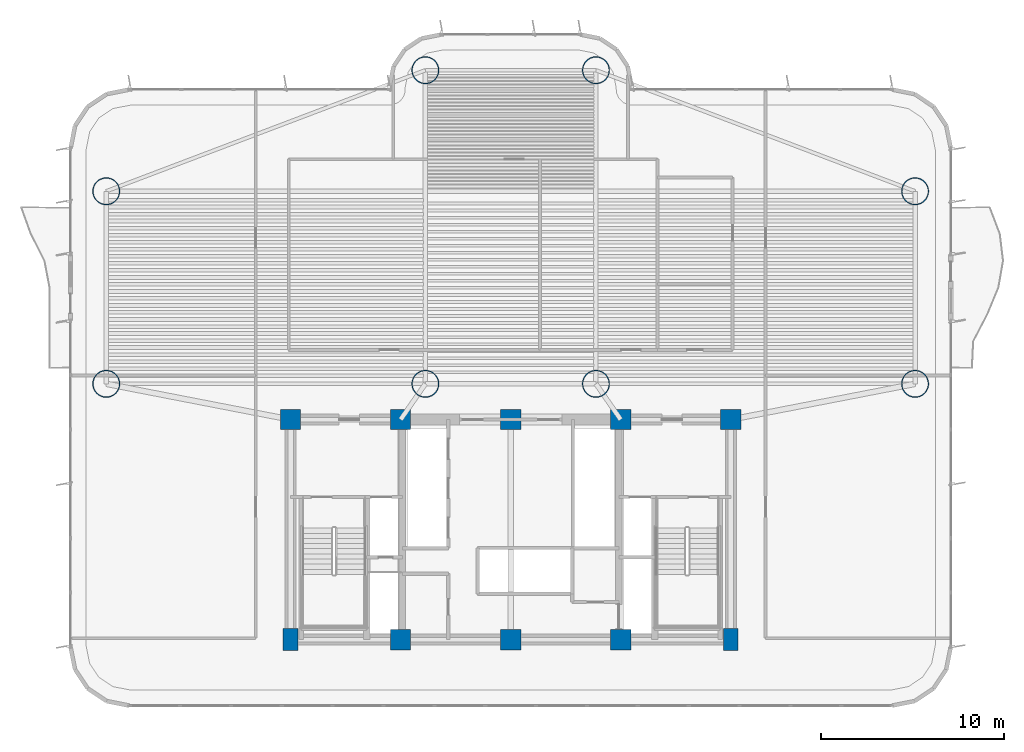
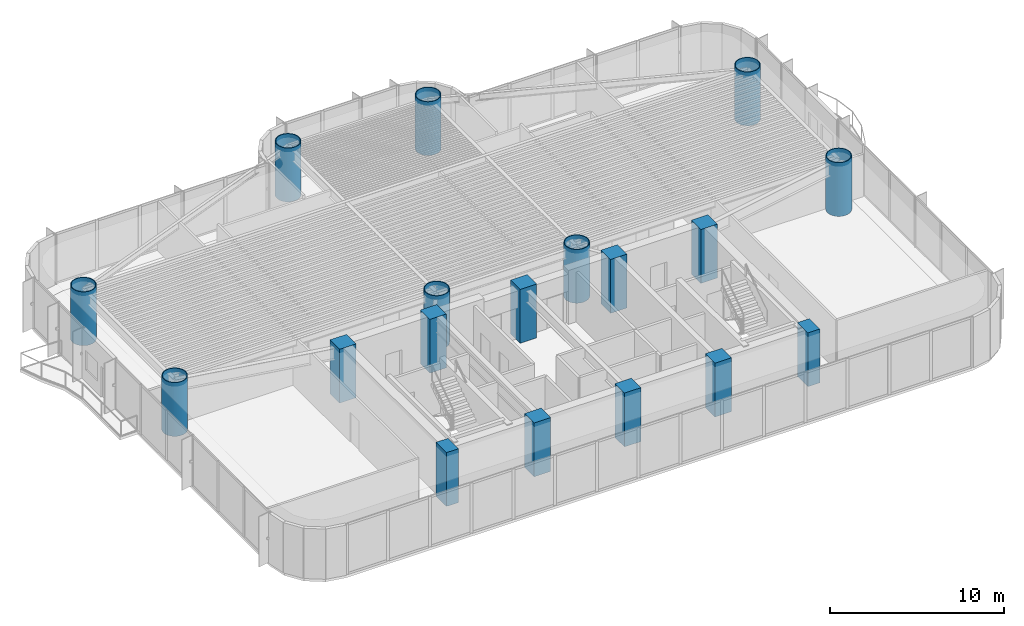
# One storey, part 1 of 16: 18 columns.
"""IFC4 building model written with IfcOpenShell, lengths in metres."""

from ifc_helpers import new_model, si_unit, direction, frame, origin, origin_2d, place, context, subcontext, project, spatial, rectangle, hollow_circle, extrude, source, transform, mapped, material, material_profile, profile_set, type_object, element, save


model = new_model("IFC4")

# Units and contexts
model_context = context("Model", 3, precision=1e-05, world=origin(), true_north=direction((0.0, 1.0)))
body_context = subcontext(model_context, "Body", "Model", "MODEL_VIEW")
ifc_project = project(units=[si_unit("LENGTHUNIT", "METRE"), si_unit("AREAUNIT", "SQUARE_METRE"), si_unit("VOLUMEUNIT", "CUBIC_METRE"), si_unit("PLANEANGLEUNIT", "RADIAN"), si_unit("MASSUNIT", "GRAM", prefix="KILO")], contexts=[model_context])

# Site, building, storey
site_placement = place(None, origin())
site = spatial("IfcSite", under=ifc_project, at=site_placement, CompositionType="ELEMENT")
building_placement = place(site_placement, origin())
building = spatial("IfcBuilding", under=site, at=building_placement, Name="Brelvock Crest Care Tower", CompositionType="ELEMENT")
storey_placement = place(building_placement, frame((0.0, 0.0, 57.239990234375)))
storey = spatial("IfcBuildingStorey", under=building, at=storey_placement, Name="L14", CompositionType="ELEMENT", Elevation=57.239990234375)

# Columns
ifc_material_1 = material(Name="Concrete S80 (80 MPa)", Category="concrete")
ifc_material_profile_1 = material_profile(ifc_material_1, rectangle(XDim=0.800048828125, YDim=1.199951171875, at=origin_2d()), Name="RC800x1200")
ifc_profile_set_1 = profile_set([ifc_material_profile_1], Name="Concrete S80 (80 MPa)")
column_type_1 = type_object("IfcColumnType", Name="COL-RC5", PredefinedType="COLUMN", material=ifc_profile_set_1)
shared_shape_1 = source(origin(), body_context, "Body", "SweptSolid", [
    extrude(rectangle(XDim=0.800048828125, YDim=1.199951171875, at=origin_2d()), origin(), (0.0, 0.0, 1.0), 3.780029296875),
])
for number, where, z_axis, x_axis, name in (
    (1, (24.0, 6.0, 0.0), (0.0, 0.0, 1.0), (1.0, 0.0, 0.0), "L14 Core Column CC-01"),
    (2, (48.0, 6.0, 0.0), (0.0, 0.0, 1.0), (1.0, 0.0, 0.0), "L14 Core Column CC-05"),
):
    element("IfcColumn", number, at=place(storey_placement, frame(where, z_axis=z_axis, x_axis=x_axis)), inside=storey, type_object=column_type_1, Name=name, PredefinedType="COLUMN", context=body_context, shape_type="MappedRepresentation", body=[
        mapped(shared_shape_1, transform((0.0, 0.0, 0.0), x_axis=(1.0, 0.0, 0.0), y_axis=(0.0, 1.0, 0.0), z_axis=(0.0, 0.0, 1.0), scale=1.0)),
    ])
ifc_material_profile_2 = material_profile(ifc_material_1, rectangle(XDim=1.10009765625, YDim=1.10009765625, at=origin_2d()), Name="RC1100x1100")
ifc_profile_set_2 = profile_set([ifc_material_profile_2], Name="Concrete S80 (80 MPa)")
column_type_2 = type_object("IfcColumnType", Name="COL-RC1", PredefinedType="COLUMN", material=ifc_profile_set_2)
shared_shape_2 = source(origin(), body_context, "Body", "SweptSolid", [
    extrude(rectangle(XDim=1.10009765625, YDim=1.10009765625, at=origin_2d()), origin(), (0.0, 0.0, 1.0), 3.780029296875),
])
for number, where, z_axis, x_axis, name in (
    (3, (30.0, 6.0, 0.0), (0.0, 0.0, 1.0), (1.0, 0.0, 0.0), "L14 Core Column CC-02"),
    (4, (36.0, 6.0, 0.0), (0.0, 0.0, 1.0), (1.0, 0.0, 0.0), "L14 Core Column CC-03"),
    (5, (42.0, 6.0, 0.0), (0.0, 0.0, 1.0), (1.0, 0.0, 0.0), "L14 Core Column CC-04"),
    (6, (24.0, 18.0, 0.0), (0.0, 0.0, 1.0), (1.0, 0.0, 0.0), "L14 Core Column CC-06"),
    (7, (30.0, 18.0, 0.0), (0.0, 0.0, 1.0), (1.0, 0.0, 0.0), "L14 Core Column CC-07"),
    (8, (36.0, 18.0, 0.0), (0.0, 0.0, 1.0), (1.0, 0.0, 0.0), "L14 Core Column CC-08"),
    (9, (42.0, 18.0, 0.0), (0.0, 0.0, 1.0), (1.0, 0.0, 0.0), "L14 Core Column CC-09"),
    (10, (48.0, 18.0, 0.0), (0.0, 0.0, 1.0), (1.0, 0.0, 0.0), "L14 Core Column CC-10"),
):
    element("IfcColumn", number, at=place(storey_placement, frame(where, z_axis=z_axis, x_axis=x_axis)), inside=storey, type_object=column_type_2, Name=name, PredefinedType="COLUMN", context=body_context, shape_type="MappedRepresentation", body=[
        mapped(shared_shape_2, transform((0.0, 0.0, 0.0), x_axis=(1.0, 0.0, 0.0), y_axis=(0.0, 1.0, 0.0), z_axis=(0.0, 0.0, 1.0), scale=1.0)),
    ])
ifc_material_2 = material(Name="Steel Grade 350", Category="steel")
ifc_material_profile_3 = material_profile(ifc_material_2, hollow_circle(Radius=0.75, WallThickness=0.050048828125, at=origin_2d()), Name="CFT1500x50")
ifc_profile_set_3 = profile_set([ifc_material_profile_3], Name="Steel Grade 350")
column_type_3 = type_object("IfcColumnType", Name="COL-MC1", PredefinedType="COLUMN", material=ifc_profile_set_3)
shared_shape_3 = source(origin(), body_context, "Body", "SweptSolid", [
    extrude(hollow_circle(Radius=0.75, WallThickness=0.050048828125, at=origin_2d()), origin(), (0.0, 0.0, 1.0), 3.780029296875),
])
for number, where, z_axis, x_axis, name in (
    (11, (13.949951171875, 19.949951171875, 0.0), (0.0, 0.0, 1.0), (1.0, 0.0, 0.0), "L14 Tower Column M1"),
    (12, (13.949951171875, 30.449951171875, 0.0), (0.0, 0.0, 1.0), (1.0, 0.0, 0.0), "L14 Tower Column M2"),
    (13, (58.050048828125, 19.949951171875, 0.0), (0.0, 0.0, 1.0), (1.0, 0.0, 0.0), "L14 Tower Column M3"),
    (14, (58.050048828125, 30.449951171875, 0.0), (0.0, 0.0, 1.0), (1.0, 0.0, 0.0), "L14 Tower Column M4"),
    (15, (31.35009765625, 19.949951171875, 0.0), (0.0, 0.0, 1.0), (1.0, 0.0, 0.0), "L14 Tower Column M5"),
    (16, (40.64990234375, 19.949951171875, 0.0), (0.0, 0.0, 1.0), (1.0, 0.0, 0.0), "L14 Tower Column M6"),
    (17, (31.35009765625, 37.050048828125, 0.0), (0.0, 0.0, 1.0), (1.0, 0.0, 0.0), "L14 Tower Column M7"),
    (18, (40.64990234375, 37.050048828125, 0.0), (0.0, 0.0, 1.0), (1.0, 0.0, 0.0), "L14 Tower Column M8"),
):
    element("IfcColumn", number, at=place(storey_placement, frame(where, z_axis=z_axis, x_axis=x_axis)), inside=storey, type_object=column_type_3, Name=name, PredefinedType="COLUMN", context=body_context, shape_type="MappedRepresentation", body=[
        mapped(shared_shape_3, transform((0.0, 0.0, 0.0), x_axis=(1.0, 0.0, 0.0), y_axis=(0.0, 1.0, 0.0), z_axis=(0.0, 0.0, 1.0), scale=1.0)),
    ])

save(model, "model.ifc")
